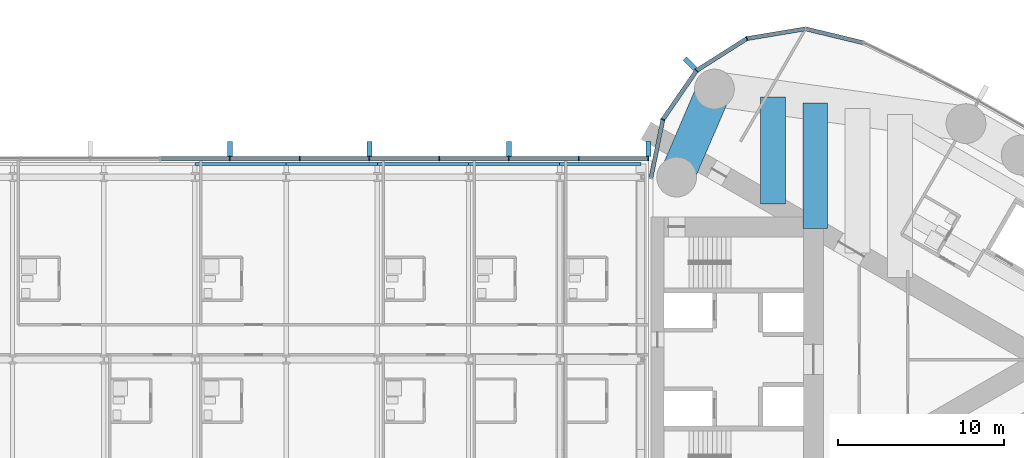
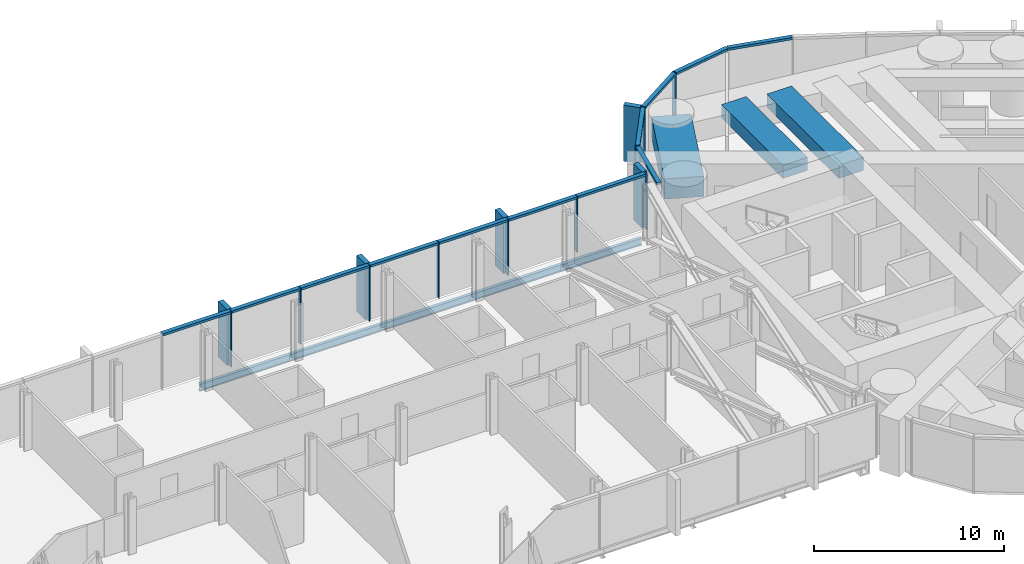
# One storey, part 11 of 23: 27 members, 8 beams, 2 elements without a shape of their own.
"""IFC4 building model written with IfcOpenShell, lengths in metres."""

import ifcopenshell
import ifcopenshell.guid

model = None  # the IFC model being written
_history = None  # IfcOwnerHistory: only IFC2X3 demands one
_inside = {}  # id of a spatial element -> (the spatial element, [elements in it])
_under = {}  # id of a project, library or spatial element -> (it, [spatial elements below it])
_declared = {}  # id of a project -> (the project, [libraries it declares])
_typed = {}  # id of a type object -> (the type object, [elements of that type])
_made_of = {}  # id of a material, layer set ... -> (it, [elements and type objects made of it])


def new_model(schema):
    """Start an empty IFC model of exactly this schema.

    Asked for "IFC4X3", IfcOpenShell would pick the latest addendum, in which some entities
    have other attributes; the version numbers below select the first issue.
    IFC2X3 requires an IfcOwnerHistory on every rooted entity: one is made here for all.
    """
    global model, _history
    if schema == "IFC4X3":
        model = ifcopenshell.file(schema_version=(4, 3, 0, 0))
    else:
        model = ifcopenshell.file(schema=schema)
    _inside.clear()
    _under.clear()
    _declared.clear()
    _typed.clear()
    _made_of.clear()
    _history = None
    if model.schema == "IFC2X3":
        org = make("IfcOrganization", Name="unknown")
        user = make(
            "IfcPersonAndOrganization",
            ThePerson=make("IfcPerson", FamilyName="unknown"),
            TheOrganization=org,
        )
        app = make(
            "IfcApplication",
            ApplicationDeveloper=org,
            Version="unknown",
            ApplicationFullName="unknown",
            ApplicationIdentifier="unknown",
        )
        _history = make(
            "IfcOwnerHistory",
            OwningUser=user,
            OwningApplication=app,
            ChangeAction="ADDED",
            CreationDate=0,
        )
    return model


def make(cls, **values):
    """One entity of the class cls with the attributes given. An attribute that is None is left unset."""
    return model.create_entity(
        cls, **{name: value for name, value in values.items() if value is not None}
    )


def rooted(cls, **values):
    """An entity with a GlobalId (a new one), such as an element, a storey or a relation."""
    return make(cls, GlobalId=ifcopenshell.guid.new(), OwnerHistory=_history, **values)


def si_unit(unit_type, name, prefix=None):
    """IfcSIUnit, for example si_unit("LENGTHUNIT", "METRE", prefix="MILLI")."""
    return make("IfcSIUnit", UnitType=unit_type, Prefix=prefix, Name=name)


def assignment(units):
    """IfcUnitAssignment: the units of a project."""
    return None if units is None else make("IfcUnitAssignment", Units=units)


def point(xyz):
    """IfcCartesianPoint."""
    return None if xyz is None else make("IfcCartesianPoint", Coordinates=xyz)


def direction(xyz):
    """IfcDirection."""
    return None if xyz is None else make("IfcDirection", DirectionRatios=xyz)


def frame(location, z_axis=None, x_axis=None):
    """IfcAxis2Placement3D, a coordinate frame: its origin and axes. An axis left out is left unset."""
    return make(
        "IfcAxis2Placement3D",
        Location=point(location),
        Axis=direction(z_axis),
        RefDirection=direction(x_axis),
    )


def frame_2d(location, x_axis=None):
    """IfcAxis2Placement2D, a coordinate frame in the plane: its origin and x axis."""
    return make(
        "IfcAxis2Placement2D", Location=point(location), RefDirection=direction(x_axis)
    )


def origin():
    """The frame at (0, 0, 0) with its axes left unset."""
    return frame((0.0, 0.0, 0.0))


def origin_2d():
    """The frame at (0, 0) in the plane with its x axis left unset."""
    return frame_2d((0.0, 0.0))


def place(relative_to, where):
    """IfcLocalPlacement: puts the frame where relative to a parent placement (None: the world)."""
    return make(
        "IfcLocalPlacement", PlacementRelTo=relative_to, RelativePlacement=where
    )


def context(
    kind, dimensions, precision=None, world=None, true_north=None, identifier=None
):
    """IfcGeometricRepresentationContext, for example the 3D "Model" context."""
    return make(
        "IfcGeometricRepresentationContext",
        ContextIdentifier=identifier,
        ContextType=kind,
        CoordinateSpaceDimension=dimensions,
        Precision=precision,
        WorldCoordinateSystem=world,
        TrueNorth=true_north,
    )


def subcontext(parent, identifier, kind, view, scale=None):
    """IfcGeometricRepresentationSubContext, for example "Body" below "Model"."""
    return make(
        "IfcGeometricRepresentationSubContext",
        ContextIdentifier=identifier,
        ContextType=kind,
        ParentContext=parent,
        TargetScale=scale,
        TargetView=view,
    )


def project(units=None, contexts=None):
    """IfcProject with its units and contexts."""
    return rooted(
        "IfcProject",
        Name="project",
        RepresentationContexts=contexts,
        UnitsInContext=assignment(units),
    )


def spatial(cls, under=None, at=None, **own):
    """A site, building, storey or space (cls), placed at a placement, below another one or the project."""
    s = rooted(cls, ObjectPlacement=at, **own)
    if under is not None:
        _under.setdefault(under.id(), (under, []))[1].append(s)
    return s


def profile(cls, at=None, kind="AREA", **sizes):
    """A parametric profile (cls). Its sizes go by their IFC names, for example OverallWidth=200.0."""
    return make(cls, ProfileType=kind, Position=at, **sizes)


def rectangle(**sizes):
    """IfcRectangleProfileDef."""
    return profile("IfcRectangleProfileDef", **sizes)


def i_section(**sizes):
    """IfcIShapeProfileDef."""
    return profile("IfcIShapeProfileDef", **sizes)


def extrude(swept, where, along, depth):
    """IfcExtrudedAreaSolid: the profile swept, set in the frame where, extruded along a direction by depth."""
    return make(
        "IfcExtrudedAreaSolid",
        SweptArea=swept,
        Position=where,
        ExtrudedDirection=direction(along),
        Depth=depth,
    )


def shape(context_of_items, identifier, shape_type, items):
    """IfcShapeRepresentation: the items that make up one representation, for example the "Body"."""
    return make(
        "IfcShapeRepresentation",
        ContextOfItems=context_of_items,
        RepresentationIdentifier=identifier,
        RepresentationType=shape_type,
        Items=items,
    )


def material(Name=None, Category=None):
    """IfcMaterial."""
    return make("IfcMaterial", Name=Name, Category=Category)


def material_profile(
    of_material, cross_section, Name=None, Category=None, Priority=None
):
    """IfcMaterialProfile: a cross section and its material."""
    return make(
        "IfcMaterialProfile",
        Name=Name,
        Material=of_material,
        Profile=cross_section,
        Priority=Priority,
        Category=Category,
    )


def profile_set(profiles, Name=None, composite=None):
    """IfcMaterialProfileSet."""
    return make(
        "IfcMaterialProfileSet",
        Name=Name,
        MaterialProfiles=profiles,
        CompositeProfile=composite,
    )


def made_of(thing, what):
    """Note that an element or type object is made of a material, layer set ...; save() writes the relation."""
    if what is not None:
        _made_of.setdefault(what.id(), (what, []))[1].append(thing)
    return thing


def type_object(cls, material=None, **own):
    """A type object (cls), such as IfcWallType, which elements share."""
    return made_of(rooted(cls, **own), material)


def element(
    cls,
    number,
    at=None,
    inside=None,
    cuts=None,
    type_object=None,
    material=None,
    context=None,
    identifier="Body",
    shape_type=None,
    held_by="IfcProductDefinitionShape",
    body=None,
    shapes=None,
    **own,
):
    """One element of the class cls, such as IfcWall. Its Tag is "e" and its number.

    at: its placement. inside: the storey or other place that contains it. cuts: it is an
    opening in that element (IfcRelVoidsElement). A single representation is given by context,
    identifier, shape_type and body (its items); several are given by shapes. held_by: the class
    of the entity that holds the representations. save() writes the other relations.
    """
    e = rooted(cls, Tag="e%d" % number, ObjectPlacement=at, **own)
    if body is not None:
        shapes = [shape(context, identifier, shape_type, body)]
    if shapes is not None:
        e.Representation = make(held_by, Representations=shapes)
    if inside is not None:
        _inside.setdefault(inside.id(), (inside, []))[1].append(e)
    if cuts is not None:
        rooted(
            "IfcRelVoidsElement", RelatingBuildingElement=cuts, RelatedOpeningElement=e
        )
    if type_object is not None:
        _typed.setdefault(type_object.id(), (type_object, []))[1].append(e)
    return made_of(e, material)


def aggregate(whole, parts):
    """IfcRelAggregates: a whole, such as a stair, and the parts it consists of."""
    return rooted("IfcRelAggregates", RelatingObject=whole, RelatedObjects=parts)


def save(model, path):
    """Write the relations noted so far, then the file.

    IfcRelAggregates (storeys below a building ...), IfcRelContainedInSpatialStructure (elements
    in a storey), IfcRelDefinesByType, IfcRelAssociatesMaterial and IfcRelDeclares: one each for
    every whole, place, type object, material and project.
    """
    for whole, parts in _under.values():
        aggregate(whole, parts)
    for where, things in _inside.values():
        rooted(
            "IfcRelContainedInSpatialStructure",
            RelatedElements=things,
            RelatingStructure=where,
        )
    for kind, things in _typed.values():
        rooted("IfcRelDefinesByType", RelatedObjects=things, RelatingType=kind)
    for what, things in _made_of.values():
        rooted("IfcRelAssociatesMaterial", RelatedObjects=things, RelatingMaterial=what)
    for by, libraries in _declared.values():
        rooted("IfcRelDeclares", RelatingContext=by, RelatedDefinitions=libraries)
    model.write(path)


model = new_model("IFC4")

# Units and contexts
model_context = context("Model", 3, precision=1e-05, world=origin(), true_north=direction((0.0, 1.0)))
body_context = subcontext(model_context, "Body", "Model", "MODEL_VIEW")
ifc_project = project(units=[si_unit("LENGTHUNIT", "METRE"), si_unit("AREAUNIT", "SQUARE_METRE"), si_unit("VOLUMEUNIT", "CUBIC_METRE"), si_unit("PLANEANGLEUNIT", "RADIAN"), si_unit("MASSUNIT", "GRAM", prefix="KILO")], contexts=[model_context])

# Site, building, storey
site_placement = place(None, origin())
site = spatial("IfcSite", under=ifc_project, at=site_placement, CompositionType="ELEMENT")
building_placement = place(site_placement, origin())
building = spatial("IfcBuilding", under=site, at=building_placement, Name="Lancet Gate Hotel", CompositionType="ELEMENT")
storey_placement = place(building_placement, frame((0.0, 0.0, 240.5)))
storey = spatial("IfcBuildingStorey", under=building, at=storey_placement, Name="L64", CompositionType="ELEMENT", Elevation=240.5)

# Curtain wall, members
ifc_material_1 = material(Name="Aluminium curtain wall", Category="aluminium")
curtain_wall_type_1 = type_object("IfcCurtainWallType", Name="Tower unitised curtain wall", PredefinedType="USERDEFINED", material=ifc_material_1)
curtain_wall_1_placement = place(storey_placement, origin())
curtain_wall_1 = element("IfcCurtainWall", 1, at=curtain_wall_1_placement, inside=storey, type_object=curtain_wall_type_1, Name="T2 L64 curtain wall 1", ObjectType="UNITISED CURTAIN WALL", PredefinedType="USERDEFINED")
ifc_material_2 = material(Name="Aluminium mullion", Category="aluminium")
ifc_material_profile_1 = material_profile(ifc_material_2, rectangle(XDim=0.06494140625, YDim=0.25, at=origin_2d()), Name="MULLION 65x250")
ifc_profile_set_1 = profile_set([ifc_material_profile_1], Name="Aluminium mullion")
member_type_1 = type_object("IfcMemberType", Name="Aluminium mullion 65x250", PredefinedType="MULLION", material=ifc_profile_set_1)
member_1_placement = place(storey_placement, frame((33.283203125, 19.353515625, 0.0), z_axis=(0.0, 0.0, 1.0), x_axis=(-0.93394321776, -0.357421412343, 0.0)))
member_1 = element("IfcMember", 2, at=member_1_placement, type_object=member_type_1, Name="T2 L64 curtain wall 1 mullion 24", PredefinedType="MULLION", context=body_context, shape_type="SweptSolid", body=[
    extrude(rectangle(XDim=0.06494140625, YDim=0.25, at=origin_2d()), origin(), (0.0, 0.0, 1.0), 3.60009765625),
])
member_2_placement = place(storey_placement, frame((30.25244140625, 17.42626953125, 0.0), z_axis=(0.0, 0.0, 1.0), x_axis=(-0.719809077627, -0.694172090886, 0.0)))
member_2 = element("IfcMember", 3, at=member_2_placement, type_object=member_type_1, Name="T2 L64 curtain wall 1 mullion 25", PredefinedType="MULLION", context=body_context, shape_type="SweptSolid", body=[
    extrude(rectangle(XDim=0.06494140625, YDim=0.25, at=origin_2d()), origin(), (0.0, 0.0, 1.0), 3.60009765625),
])
member_3_placement = place(storey_placement, frame((28.216552734375, 14.467529296875, 0.0), z_axis=(0.0, 0.0, 1.0), x_axis=(-0.391042139098, -0.920372775265, 0.0)))
member_3 = element("IfcMember", 4, at=member_3_placement, type_object=member_type_1, Name="T2 L64 curtain wall 1 mullion 26", PredefinedType="MULLION", context=body_context, shape_type="SweptSolid", body=[
    extrude(rectangle(XDim=0.06494140625, YDim=0.25, at=origin_2d()), origin(), (0.0, 0.0, 1.0), 3.60009765625),
])

ifc_material_3 = material(Name="Aluminium curtain wall", Category="aluminium")
curtain_wall_type_2 = type_object("IfcCurtainWallType", Name="Bridge block curtain wall", PredefinedType="USERDEFINED", material=ifc_material_3)
curtain_wall_2_placement = place(storey_placement, origin())
curtain_wall_2 = element("IfcCurtainWall", 5, at=curtain_wall_2_placement, inside=storey, type_object=curtain_wall_type_2, Name="Bridge block L64 curtain wall N", ObjectType="UNITISED CURTAIN WALL", PredefinedType="USERDEFINED")
member_4_placement = place(storey_placement, frame((27.35009765625, 12.1201171875, 0.0), z_axis=(0.0, 0.0, 1.0), x_axis=(-1.0, 0.0, 0.0)))
member_4 = element("IfcMember", 6, at=member_4_placement, type_object=member_type_1, Name="Bridge block L64 curtain wall N mullion 1", PredefinedType="MULLION", context=body_context, shape_type="SweptSolid", body=[
    extrude(rectangle(XDim=0.06494140625, YDim=0.25, at=origin_2d()), origin(), (0.0, 0.0, 1.0), 3.60009765625),
])
member_5_placement = place(storey_placement, frame((23.142333984375, 12.1201171875, 0.0), z_axis=(0.0, 0.0, 1.0), x_axis=(-1.0, 0.0, 0.0)))
member_5 = element("IfcMember", 7, at=member_5_placement, type_object=member_type_1, Name="Bridge block L64 curtain wall N mullion 2", PredefinedType="MULLION", context=body_context, shape_type="SweptSolid", body=[
    extrude(rectangle(XDim=0.06494140625, YDim=0.25, at=origin_2d()), origin(), (0.0, 0.0, 1.0), 3.60009765625),
])
member_6_placement = place(storey_placement, frame((18.9345703125, 12.1201171875, 0.0), z_axis=(0.0, 0.0, 1.0), x_axis=(-1.0, 0.0, 0.0)))
member_6 = element("IfcMember", 8, at=member_6_placement, type_object=member_type_1, Name="Bridge block L64 curtain wall N mullion 3", PredefinedType="MULLION", context=body_context, shape_type="SweptSolid", body=[
    extrude(rectangle(XDim=0.06494140625, YDim=0.25, at=origin_2d()), origin(), (0.0, 0.0, 1.0), 3.60009765625),
])
member_7_placement = place(storey_placement, frame((14.726806640625, 12.1201171875, 0.0), z_axis=(0.0, 0.0, 1.0), x_axis=(-1.0, 0.0, 0.0)))
member_7 = element("IfcMember", 9, at=member_7_placement, type_object=member_type_1, Name="Bridge block L64 curtain wall N mullion 4", PredefinedType="MULLION", context=body_context, shape_type="SweptSolid", body=[
    extrude(rectangle(XDim=0.06494140625, YDim=0.25, at=origin_2d()), origin(), (0.0, 0.0, 1.0), 3.60009765625),
])
member_8_placement = place(storey_placement, frame((10.519287109375, 12.1201171875, 0.0), z_axis=(0.0, 0.0, 1.0), x_axis=(-1.0, 0.0, 0.0)))
member_8 = element("IfcMember", 10, at=member_8_placement, type_object=member_type_1, Name="Bridge block L64 curtain wall N mullion 5", PredefinedType="MULLION", context=body_context, shape_type="SweptSolid", body=[
    extrude(rectangle(XDim=0.06494140625, YDim=0.25, at=origin_2d()), origin(), (0.0, 0.0, 1.0), 3.60009765625),
])
member_9_placement = place(storey_placement, frame((6.3115234375, 12.1201171875, 0.0), z_axis=(0.0, 0.0, 1.0), x_axis=(-1.0, 0.0, 0.0)))
member_9 = element("IfcMember", 11, at=member_9_placement, type_object=member_type_1, Name="Bridge block L64 curtain wall N mullion 6", PredefinedType="MULLION", context=body_context, shape_type="SweptSolid", body=[
    extrude(rectangle(XDim=0.06494140625, YDim=0.25, at=origin_2d()), origin(), (0.0, 0.0, 1.0), 3.60009765625),
])
member_10_placement = place(storey_placement, frame((2.103759765625, 12.1201171875, 0.0), z_axis=(0.0, 0.0, 1.0), x_axis=(-1.0, 0.0, 0.0)))
member_10 = element("IfcMember", 12, at=member_10_placement, type_object=member_type_1, Name="Bridge block L64 curtain wall N mullion 7", PredefinedType="MULLION", context=body_context, shape_type="SweptSolid", body=[
    extrude(rectangle(XDim=0.06494140625, YDim=0.25, at=origin_2d()), origin(), (0.0, 0.0, 1.0), 3.60009765625),
])

# Member
ifc_material_4 = material(Name="Aluminium transom", Category="aluminium")
ifc_material_profile_2 = material_profile(ifc_material_4, rectangle(XDim=0.25, YDim=0.14990234375, at=origin_2d()), Name="TRANSOM 250x150")
ifc_profile_set_2 = profile_set([ifc_material_profile_2], Name="Aluminium transom")
member_type_2 = type_object("IfcMemberType", Name="Aluminium transom 250x150", PredefinedType="USERDEFINED", material=ifc_profile_set_2)
member_11_placement = place(storey_placement, frame((40.28564453125, 19.10595703125, 3.52490234375), z_axis=(-0.972002653858, 0.234969872307, 0.0), x_axis=(-0.234969872307, -0.972002653858, 0.0)))
member_11 = element("IfcMember", 13, at=member_11_placement, type_object=member_type_2, Name="T2 L64 curtain wall 1 transom 22", ObjectType="TRANSOM", PredefinedType="USERDEFINED", context=body_context, shape_type="SweptSolid", body=[
    extrude(rectangle(XDim=0.25, YDim=0.14990234375, at=origin_2d()), origin(), (0.0, 0.0, 1.0), 3.5263671875),
])

member_12_placement = place(storey_placement, frame((36.794189453125, 19.936767578125, 3.52490234375), z_axis=(-0.986483584545, -0.163860115412, 0.0), x_axis=(0.163860115412, -0.986483584545, 0.0)))
member_12 = element("IfcMember", 14, at=member_12_placement, type_object=member_type_2, Name="T2 L64 curtain wall 1 transom 23", ObjectType="TRANSOM", PredefinedType="USERDEFINED", context=body_context, shape_type="SweptSolid", body=[
    extrude(rectangle(XDim=0.25, YDim=0.14990234375, at=origin_2d()), origin(), (0.0, 0.0, 1.0), 3.526611328125),
])

member_13_placement = place(storey_placement, frame((33.255859375, 19.336181640625, 3.52490234375), z_axis=(-0.84385811281, -0.536566384938, 0.0), x_axis=(0.536566384938, -0.84385811281, 0.0)))
member_13 = element("IfcMember", 15, at=member_13_placement, type_object=member_type_2, Name="T2 L64 curtain wall 1 transom 24", ObjectType="TRANSOM", PredefinedType="USERDEFINED", context=body_context, shape_type="SweptSolid", body=[
    extrude(rectangle(XDim=0.25, YDim=0.14990234375, at=origin_2d()), origin(), (0.0, 0.0, 1.0), 3.52685546875),
])

member_14_placement = place(storey_placement, frame((30.234130859375, 17.399658203125, 3.52490234375), z_axis=(-0.566813768052, -0.82384595183, 0.0), x_axis=(0.82384595183, -0.566813768052, 0.0)))
member_14 = element("IfcMember", 16, at=member_14_placement, type_object=member_type_2, Name="T2 L64 curtain wall 1 transom 25", ObjectType="TRANSOM", PredefinedType="USERDEFINED", context=body_context, shape_type="SweptSolid", body=[
    extrude(rectangle(XDim=0.25, YDim=0.14990234375, at=origin_2d()), origin(), (0.0, 0.0, 1.0), 3.52685546875),
])

member_15_placement = place(storey_placement, frame((28.210205078125, 14.435546875, 3.52490234375), z_axis=(-0.19952323725, -0.979893095086, 0.0), x_axis=(0.979893095086, -0.19952323725, 0.0)))
member_15 = element("IfcMember", 17, at=member_15_placement, type_object=member_type_2, Name="T2 L64 curtain wall 1 transom 26", ObjectType="TRANSOM", PredefinedType="USERDEFINED", context=body_context, shape_type="SweptSolid", body=[
    extrude(rectangle(XDim=0.25, YDim=0.14990234375, at=origin_2d()), origin(), (0.0, 0.0, 1.0), 3.5263671875),
])

member_16_placement = place(storey_placement, frame((27.3173828125, 12.1201171875, 3.52490234375), z_axis=(-1.0, 0.0, 0.0), x_axis=(0.0, -1.0, 0.0)))
member_16 = element("IfcMember", 18, at=member_16_placement, type_object=member_type_2, Name="Bridge block L64 curtain wall N transom 1", ObjectType="TRANSOM", PredefinedType="USERDEFINED", context=body_context, shape_type="SweptSolid", body=[
    extrude(rectangle(XDim=0.25, YDim=0.14990234375, at=origin_2d()), origin(), (0.0, 0.0, 1.0), 4.142578125),
])

member_17_placement = place(storey_placement, frame((23.10986328125, 12.1201171875, 3.52490234375), z_axis=(-1.0, 0.0, 0.0), x_axis=(0.0, -1.0, 0.0)))
member_17 = element("IfcMember", 19, at=member_17_placement, type_object=member_type_2, Name="Bridge block L64 curtain wall N transom 2", ObjectType="TRANSOM", PredefinedType="USERDEFINED", context=body_context, shape_type="SweptSolid", body=[
    extrude(rectangle(XDim=0.25, YDim=0.14990234375, at=origin_2d()), origin(), (0.0, 0.0, 1.0), 4.142822265625),
])

member_18_placement = place(storey_placement, frame((18.902099609375, 12.1201171875, 3.52490234375), z_axis=(-1.0, 0.0, 0.0), x_axis=(0.0, -1.0, 0.0)))
member_18 = element("IfcMember", 20, at=member_18_placement, type_object=member_type_2, Name="Bridge block L64 curtain wall N transom 3", ObjectType="TRANSOM", PredefinedType="USERDEFINED", context=body_context, shape_type="SweptSolid", body=[
    extrude(rectangle(XDim=0.25, YDim=0.14990234375, at=origin_2d()), origin(), (0.0, 0.0, 1.0), 4.142578125),
])

member_19_placement = place(storey_placement, frame((14.6943359375, 12.1201171875, 3.52490234375), z_axis=(-1.0, 0.0, 0.0), x_axis=(0.0, -1.0, 0.0)))
member_19 = element("IfcMember", 21, at=member_19_placement, type_object=member_type_2, Name="Bridge block L64 curtain wall N transom 4", ObjectType="TRANSOM", PredefinedType="USERDEFINED", context=body_context, shape_type="SweptSolid", body=[
    extrude(rectangle(XDim=0.25, YDim=0.14990234375, at=origin_2d()), origin(), (0.0, 0.0, 1.0), 4.142578125),
])

member_20_placement = place(storey_placement, frame((10.48681640625, 12.1201171875, 3.52490234375), z_axis=(-1.0, 0.0, 0.0), x_axis=(0.0, -1.0, 0.0)))
member_20 = element("IfcMember", 22, at=member_20_placement, type_object=member_type_2, Name="Bridge block L64 curtain wall N transom 5", ObjectType="TRANSOM", PredefinedType="USERDEFINED", context=body_context, shape_type="SweptSolid", body=[
    extrude(rectangle(XDim=0.25, YDim=0.14990234375, at=origin_2d()), origin(), (0.0, 0.0, 1.0), 4.142822265625),
])

member_21_placement = place(storey_placement, frame((6.279052734375, 12.1201171875, 3.52490234375), z_axis=(-1.0, 0.0, 0.0), x_axis=(0.0, -1.0, 0.0)))
member_21 = element("IfcMember", 23, at=member_21_placement, type_object=member_type_2, Name="Bridge block L64 curtain wall N transom 6", ObjectType="TRANSOM", PredefinedType="USERDEFINED", context=body_context, shape_type="SweptSolid", body=[
    extrude(rectangle(XDim=0.25, YDim=0.14990234375, at=origin_2d()), origin(), (0.0, 0.0, 1.0), 4.142822265625),
])

member_22_placement = place(storey_placement, frame((2.0712890625, 12.1201171875, 3.52490234375), z_axis=(-1.0, 0.0, 0.0), x_axis=(0.0, -1.0, 0.0)))
member_22 = element("IfcMember", 24, at=member_22_placement, type_object=member_type_2, Name="Bridge block L64 curtain wall N transom 7", ObjectType="TRANSOM", PredefinedType="USERDEFINED", context=body_context, shape_type="SweptSolid", body=[
    extrude(rectangle(XDim=0.25, YDim=0.14990234375, at=origin_2d()), origin(), (0.0, 0.0, 1.0), 4.142578125),
])

# Beams
ifc_material_5 = material(Name="Steel S355", Category="steel")
ifc_material_profile_3 = material_profile(ifc_material_5, i_section(OverallWidth=0.19140625, OverallDepth=0.4599609375, WebThickness=0.010009765625, FlangeThickness=0.01611328125, FilletRadius=0.01025390625, at=origin_2d()), Name="UKB 457x191x82")
ifc_profile_set_3 = profile_set([ifc_material_profile_3], Name="Steel S355")
beam_type_1 = type_object("IfcBeamType", Name="Block edge beam UKB 457x191x82", PredefinedType="SPANDREL", material=ifc_profile_set_3)
for number, where, z_axis, x_axis, name in (
    (25, (0.0, 11.800048828125, -0.429931640625), (1.0, 0.0, 0.0), (0.0, 1.0, 0.0), "Block edge beam N 5-6 L64"),
    (26, (5.5, 11.800048828125, -0.429931640625), (1.0, 0.0, 0.0), (0.0, 1.0, 0.0), "Block edge beam N 6-7 L64"),
    (27, (11.0, 11.800048828125, -0.429931640625), (1.0, 0.0, 0.0), (0.0, 1.0, 0.0), "Block edge beam N 7-8 L64"),
    (28, (16.5, 11.800048828125, -0.429931640625), (1.0, 0.0, 0.0), (0.0, 1.0, 0.0), "Block edge beam N 8-9 L64"),
):
    element("IfcBeam", number, at=place(storey_placement, frame(where, z_axis=z_axis, x_axis=x_axis)), inside=storey, type_object=beam_type_1, Name=name, PredefinedType="SPANDREL", context=body_context, shape_type="SweptSolid", body=[
        extrude(i_section(OverallWidth=0.19140625, OverallDepth=0.4599609375, WebThickness=0.010009765625, FlangeThickness=0.01611328125, FilletRadius=0.01025390625, at=origin_2d()), origin(), (0.0, 0.0, 1.0), 5.5),
    ])
beam_1_placement = place(storey_placement, frame((22.0, 11.800048828125, -0.429931640625), z_axis=(1.0, 0.0, 0.0), x_axis=(0.0, 1.0, 0.0)))
element("IfcBeam", 29, at=beam_1_placement, inside=storey, type_object=beam_type_1, Name="Block edge beam N 9-10 L64", PredefinedType="SPANDREL", context=body_context, shape_type="SweptSolid", body=[
    extrude(i_section(OverallWidth=0.19140625, OverallDepth=0.4599609375, WebThickness=0.010009765625, FlangeThickness=0.01611328125, FilletRadius=0.01025390625, at=origin_2d()), origin(), (0.0, 0.0, 1.0), 4.89990234375),
])
ifc_material_6 = material(Name="Concrete C50/60", Category="concrete")
ifc_material_profile_4 = material_profile(ifc_material_6, rectangle(XDim=2.10009765625, YDim=1.300048828125, at=origin_2d()), Name="RC 2100x1300")
ifc_profile_set_4 = profile_set([ifc_material_profile_4], Name="Concrete C50/60")
beam_type_2 = type_object("IfcBeamType", Name="Edge beam RC 2100x1300", PredefinedType="SPANDREL", material=ifc_profile_set_4)
beam_2_placement = place(storey_placement, frame((29.050048828125, 11.0, 2.699951171875), z_axis=(0.394250694824, 0.91900293233, 0.0), x_axis=(-0.91900293233, 0.394250694824, 0.0)))
element("IfcBeam", 30, at=beam_2_placement, inside=storey, type_object=beam_type_2, Name="T2 edge beam EB1 L64", PredefinedType="SPANDREL", context=body_context, shape_type="SweptSolid", body=[
    extrude(rectangle(XDim=2.10009765625, YDim=1.300048828125, at=origin_2d()), origin(), (0.0, 0.0, 1.0), 5.77880859375),
])

# Member
ifc_material_7 = material(Name="Precast concrete C50/60", Category="concrete")
ifc_material_profile_5 = material_profile(ifc_material_7, rectangle(XDim=0.300048828125, YDim=0.89990234375, at=origin_2d()), Name="FIN 300x900")
ifc_profile_set_5 = profile_set([ifc_material_profile_5], Name="Precast concrete C50/60")
member_type_3 = type_object("IfcMemberType", Name="Exposed concrete fin 300x900", PredefinedType="USERDEFINED", material=ifc_profile_set_5)
member_23_placement = place(storey_placement, frame((29.853271484375, 17.84033203125, 0.0), z_axis=(0.0, 0.0, 1.0), x_axis=(-0.719809077627, -0.694172090886, 0.0)))
member_23 = element("IfcMember", 31, at=member_23_placement, type_object=member_type_3, Name="T2 L64 curtain wall 1 fin 25", ObjectType="FIN", PredefinedType="USERDEFINED", context=body_context, shape_type="SweptSolid", body=[
    extrude(rectangle(XDim=0.300048828125, YDim=0.89990234375, at=origin_2d()), origin(), (0.0, 0.0, 1.0), 3.60009765625),
])

aggregate(curtain_wall_1, [member_1, member_2, member_23, member_3, member_11, member_12, member_13, member_14, member_15])

member_24_placement = place(storey_placement, frame((27.35009765625, 12.695068359375, 0.0), z_axis=(0.0, 0.0, 1.0), x_axis=(-1.0, 0.0, 0.0)))
member_24 = element("IfcMember", 32, at=member_24_placement, type_object=member_type_3, Name="Bridge block L64 curtain wall N fin 1", ObjectType="FIN", PredefinedType="USERDEFINED", context=body_context, shape_type="SweptSolid", body=[
    extrude(rectangle(XDim=0.300048828125, YDim=0.89990234375, at=origin_2d()), origin(), (0.0, 0.0, 1.0), 3.60009765625),
])

member_25_placement = place(storey_placement, frame((18.9345703125, 12.695068359375, 0.0), z_axis=(0.0, 0.0, 1.0), x_axis=(-1.0, 0.0, 0.0)))
member_25 = element("IfcMember", 33, at=member_25_placement, type_object=member_type_3, Name="Bridge block L64 curtain wall N fin 3", ObjectType="FIN", PredefinedType="USERDEFINED", context=body_context, shape_type="SweptSolid", body=[
    extrude(rectangle(XDim=0.300048828125, YDim=0.89990234375, at=origin_2d()), origin(), (0.0, 0.0, 1.0), 3.60009765625),
])

member_26_placement = place(storey_placement, frame((10.519287109375, 12.695068359375, 0.0), z_axis=(0.0, 0.0, 1.0), x_axis=(-1.0, 0.0, 0.0)))
member_26 = element("IfcMember", 34, at=member_26_placement, type_object=member_type_3, Name="Bridge block L64 curtain wall N fin 5", ObjectType="FIN", PredefinedType="USERDEFINED", context=body_context, shape_type="SweptSolid", body=[
    extrude(rectangle(XDim=0.300048828125, YDim=0.89990234375, at=origin_2d()), origin(), (0.0, 0.0, 1.0), 3.60009765625),
])

member_27_placement = place(storey_placement, frame((2.103759765625, 12.695068359375, 0.0), z_axis=(0.0, 0.0, 1.0), x_axis=(-1.0, 0.0, 0.0)))
member_27 = element("IfcMember", 35, at=member_27_placement, type_object=member_type_3, Name="Bridge block L64 curtain wall N fin 7", ObjectType="FIN", PredefinedType="USERDEFINED", context=body_context, shape_type="SweptSolid", body=[
    extrude(rectangle(XDim=0.300048828125, YDim=0.89990234375, at=origin_2d()), origin(), (0.0, 0.0, 1.0), 3.60009765625),
])

aggregate(curtain_wall_2, [member_4, member_24, member_5, member_6, member_25, member_7, member_8, member_26, member_9, member_10, member_27, member_16, member_17, member_18, member_19, member_20, member_21, member_22])

# Beams
ifc_material_8 = material(Name="Concrete C50/60", Category="concrete")
ifc_material_profile_6 = material_profile(ifc_material_8, rectangle(XDim=1.5, YDim=0.85009765625, at=origin_2d()), Name="RC 1500x850")
ifc_profile_set_6 = profile_set([ifc_material_profile_6], Name="Concrete C50/60")
beam_type_3 = type_object("IfcBeamType", Name="Floor beam RC 1500x850", PredefinedType="BEAM", material=ifc_profile_set_6)
beam_3_placement = place(storey_placement, frame((34.859619140625, 9.377685546875, 2.925048828125), z_axis=(0.0, 1.0, 0.0), x_axis=(-1.0, 0.0, 0.0)))
element("IfcBeam", 36, at=beam_3_placement, inside=storey, type_object=beam_type_3, Name="T2 floor beam F02N L64", PredefinedType="BEAM", context=body_context, shape_type="SweptSolid", body=[
    extrude(rectangle(XDim=1.5, YDim=0.85009765625, at=origin_2d()), origin(), (0.0, 0.0, 1.0), 6.44775390625),
])
beam_4_placement = place(storey_placement, frame((37.412841796875, 7.903564453125, 2.925048828125), z_axis=(0.0, 1.0, 0.0), x_axis=(-1.0, 0.0, 0.0)))
element("IfcBeam", 37, at=beam_4_placement, inside=storey, type_object=beam_type_3, Name="T2 floor beam F04N L64", PredefinedType="BEAM", context=body_context, shape_type="SweptSolid", body=[
    extrude(rectangle(XDim=1.5, YDim=0.85009765625, at=origin_2d()), origin(), (0.0, 0.0, 1.0), 7.57080078125),
])

save(model, "model.ifc")
